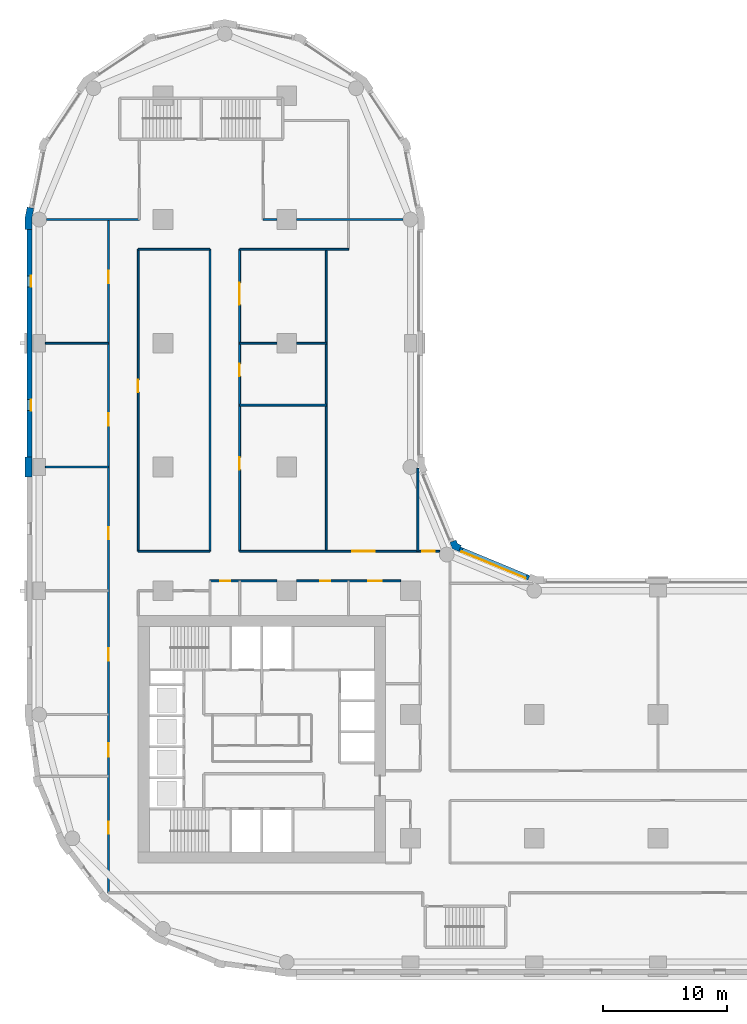
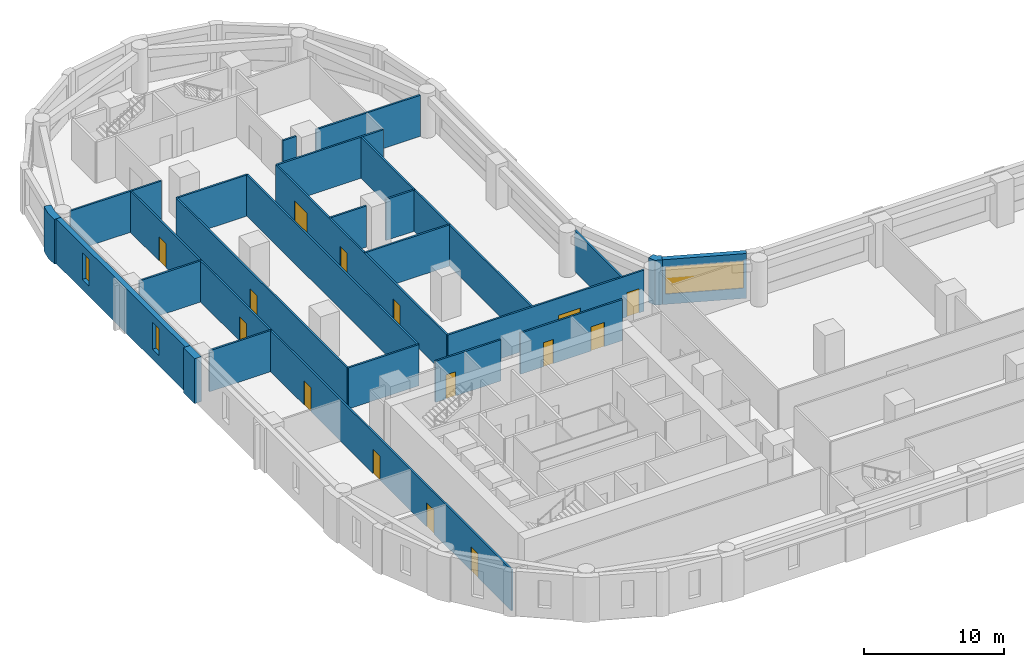
# One storey, part 5 of 10: 25 walls, 15 doors, 3 windows, 18 openings.
"""IFC4 building model written with IfcOpenShell, lengths in metres."""

from ifc_helpers import new_model, si_unit, direction, frame, frame_2d, origin, place, context, subcontext, project, spatial, polyline, rectangle, outline, extrude, material, layer, layer_set, type_object, element, fill, save


model = new_model("IFC4")

# Units and contexts
model_context = context("Model", 3, precision=1e-05, world=origin(), true_north=direction((0.0, 1.0)))
body_context = subcontext(model_context, "Body", "Model", "MODEL_VIEW")
ifc_project = project(units=[si_unit("LENGTHUNIT", "METRE"), si_unit("AREAUNIT", "SQUARE_METRE"), si_unit("VOLUMEUNIT", "CUBIC_METRE"), si_unit("PLANEANGLEUNIT", "RADIAN"), si_unit("MASSUNIT", "GRAM", prefix="KILO")], contexts=[model_context])

# Site, building, storey
site_placement = place(None, origin())
site = spatial("IfcSite", under=ifc_project, at=site_placement, CompositionType="ELEMENT")
building_placement = place(site_placement, origin())
building = spatial("IfcBuilding", under=site, at=building_placement, Name="Qaws Garden Tower", CompositionType="ELEMENT")
storey_placement = place(building_placement, frame((0.0, 0.0, 66.60009765625)))
storey = spatial("IfcBuildingStorey", under=building, at=storey_placement, Name="L16", CompositionType="ELEMENT", Elevation=66.60009765625)

# Wall, opening, window
ifc_material_1 = material(Name="Clay facing brick masonry", Category="masonry")
ifc_layer_1 = layer(ifc_material_1, 0.39990234375)
ifc_layer_set_1 = layer_set([ifc_layer_1], Name="Clay facing brick masonry")
wall_type_1 = type_object("IfcWallType", Name="Brick infill wall 400", PredefinedType="SOLIDWALL", material=ifc_layer_set_1)
wall_1_placement = place(storey_placement, frame((39.56689453125, 31.04541015625, 0.0), z_axis=(0.0, 0.0, 1.0), x_axis=(-0.923891000409, 0.382655745237, 0.0)))
wall_1 = element("IfcWall", 1, at=wall_1_placement, inside=storey, type_object=wall_type_1, Name="E-L16-infill-11", PredefinedType="SOLIDWALL", context=body_context, shape_type="SweptSolid", body=[
    extrude(rectangle(XDim=6.053466796875, YDim=0.39990234375, at=frame_2d((3.02685546875, 0.0))), origin(), (0.0, 0.0, 1.0), 3.89990234375),
])
opening_1_placement = place(wall_1_placement, frame((0.226806640625, 0.0, 0.89990234375)))
opening_1 = element("IfcOpeningElement", 2, at=opening_1_placement, cuts=wall_1, Name="Opening W04", PredefinedType="OPENING", context=body_context, shape_type="SweptSolid", body=[
    extrude(rectangle(XDim=5.60009765625, YDim=2.35009765625, at=frame_2d((2.800048828125, 1.175048828125))), frame((0.0, 0.2099609375, 0.0), z_axis=(0.0, -1.0, 0.0), x_axis=(1.0, 0.0, 0.0)), (0.0, 0.0, 1.0), 0.419921875),
])
ifc_material_2 = material(Name="Aluminium framed window, clear glazing", Category="aluminium")
window_type_1 = type_object("IfcWindowType", Name="Ribbon window 5600 x 2350", PartitioningType="DOUBLE_PANEL_VERTICAL", PredefinedType="WINDOW", material=ifc_material_2)
window_1_placement = place(opening_1_placement, origin())
window_1 = element("IfcWindow", 3, at=window_1_placement, inside=storey, type_object=window_type_1, Name="E-L16-window-11-0", OverallHeight=2.35009765625, OverallWidth=5.60009765625, PartitioningType="SINGLE_PANEL", PredefinedType="WINDOW", context=body_context, shape_type="SweptSolid", body=[
    extrude(rectangle(XDim=5.60009765625, YDim=2.35009765625, at=frame_2d((2.800048828125, 1.175048828125))), frame((0.0, 0.159912109375, 0.0), z_axis=(0.0, -1.0, 0.0), x_axis=(1.0, 0.0, 0.0)), (0.0, 0.0, 1.0), 0.06005859375),
])
fill(opening_1, window_1)

# Wall, openings, windows
wall_2_placement = place(storey_placement, frame((-0.800048828125, 59.199951171875, 0.0), z_axis=(0.0, 0.0, 1.0), x_axis=(0.0, -1.0, 0.0)))
wall_2 = element("IfcWall", 4, at=wall_2_placement, inside=storey, type_object=wall_type_1, Name="E-L16-infill-23", PredefinedType="SOLIDWALL", context=body_context, shape_type="SweptSolid", body=[
    extrude(rectangle(XDim=18.39990234375, YDim=0.39990234375, at=frame_2d((9.199951171875, 0.0))), origin(), (0.0, 0.0, 1.0), 3.89990234375),
])
opening_2_placement = place(wall_2_placement, frame((3.75, 0.0, 0.89990234375)))
opening_2 = element("IfcOpeningElement", 5, at=opening_2_placement, cuts=wall_2, Name="Opening W09", PredefinedType="OPENING", context=body_context, shape_type="SweptSolid", body=[
    extrude(rectangle(XDim=0.89990234375, YDim=2.35009765625, at=frame_2d((0.449951171875, 1.175048828125))), frame((0.0, 0.2099609375, 0.0), z_axis=(0.0, -1.0, 0.0), x_axis=(1.0, 0.0, 0.0)), (0.0, 0.0, 1.0), 0.419921875),
])
opening_3_placement = place(wall_2_placement, frame((13.75, 0.0, 0.89990234375)))
opening_3 = element("IfcOpeningElement", 6, at=opening_3_placement, cuts=wall_2, Name="Opening W09", PredefinedType="OPENING", context=body_context, shape_type="SweptSolid", body=[
    extrude(rectangle(XDim=0.89990234375, YDim=2.35009765625, at=frame_2d((0.449951171875, 1.175048828125))), frame((0.0, 0.2099609375, 0.0), z_axis=(0.0, -1.0, 0.0), x_axis=(1.0, 0.0, 0.0)), (0.0, 0.0, 1.0), 0.419921875),
])
ifc_material_3 = material(Name="Aluminium framed window, clear glazing", Category="aluminium")
window_type_2 = type_object("IfcWindowType", Name="Slit window 900 x 2350", PartitioningType="SINGLE_PANEL", PredefinedType="WINDOW", material=ifc_material_3)
window_2_placement = place(opening_2_placement, origin())
window_2 = element("IfcWindow", 7, at=window_2_placement, inside=storey, type_object=window_type_2, Name="E-L16-window-23-0", OverallHeight=2.35009765625, OverallWidth=0.89990234375, PartitioningType="SINGLE_PANEL", PredefinedType="WINDOW", context=body_context, shape_type="SweptSolid", body=[
    extrude(rectangle(XDim=0.89990234375, YDim=2.35009765625, at=frame_2d((0.449951171875, 1.175048828125))), frame((0.0, 0.159912109375, 0.0), z_axis=(0.0, -1.0, 0.0), x_axis=(1.0, 0.0, 0.0)), (0.0, 0.0, 1.0), 0.06005859375),
])
fill(opening_2, window_2)
window_3_placement = place(opening_3_placement, origin())
window_3 = element("IfcWindow", 8, at=window_3_placement, inside=storey, type_object=window_type_2, Name="E-L16-window-24-0", OverallHeight=2.35009765625, OverallWidth=0.89990234375, PartitioningType="SINGLE_PANEL", PredefinedType="WINDOW", context=body_context, shape_type="SweptSolid", body=[
    extrude(rectangle(XDim=0.89990234375, YDim=2.35009765625, at=frame_2d((0.449951171875, 1.175048828125))), frame((0.0, 0.159912109375, 0.0), z_axis=(0.0, -1.0, 0.0), x_axis=(1.0, 0.0, 0.0)), (0.0, 0.0, 1.0), 0.06005859375),
])
fill(opening_3, window_3)

# Walls
ifc_material_4 = material(Name="Clay facing brick masonry", Category="masonry")
ifc_layer_2 = layer(ifc_material_4, 0.550048828125)
ifc_layer_set_2 = layer_set([ifc_layer_2], Name="Clay facing brick masonry")
wall_type_2 = type_object("IfcWallType", Name="Brick pier 550 x 1600", PredefinedType="SOLIDWALL", material=ifc_layer_set_2)
placement = place(storey_placement, origin())
element("IfcWall", 9, at=placement, inside=storey, type_object=wall_type_2, Name="E-L16-pier-12", PredefinedType="SOLIDWALL", context=body_context, shape_type="SweptSolid", body=[
    extrude(outline(polyline([(34.05078125, 33.546630859375), (34.108154296875, 33.685302734375), (33.80908203125, 33.80908203125), (33.685302734375, 34.108154296875), (33.546630859375, 34.05078125), (33.177001953125, 33.897705078125), (33.38818359375, 33.38818359375), (33.897705078125, 33.177001953125), (34.05078125, 33.546630859375)])), origin(), (0.0, 0.0, 1.0), 3.89990234375),
])
element("IfcWall", 10, at=placement, inside=storey, type_object=wall_type_2, Name="E-L16-pier-23", PredefinedType="SOLIDWALL", context=body_context, shape_type="SweptSolid", body=[
    extrude(outline(polyline([(-0.82470703125, 60.979736328125), (-0.971923828125, 61.009033203125), (-1.14990234375, 60.11328125), (-1.14990234375, 59.199951171875), (-1.0, 59.199951171875), (-0.60009765625, 59.199951171875), (-0.60009765625, 60.05908203125), (-0.432373046875, 60.901611328125), (-0.82470703125, 60.979736328125)])), origin(), (0.0, 0.0, 1.0), 3.89990234375),
])
element("IfcWall", 11, at=placement, inside=storey, type_object=wall_type_2, Name="E-L16-pier-25", PredefinedType="SOLIDWALL", context=body_context, shape_type="SweptSolid", body=[
    extrude(outline(polyline([(-1.0, 40.800048828125), (-1.14990234375, 40.800048828125), (-1.14990234375, 40.0), (-1.14990234375, 39.199951171875), (-1.0, 39.199951171875), (-0.60009765625, 39.199951171875), (-0.60009765625, 40.0), (-0.60009765625, 40.800048828125), (-1.0, 40.800048828125)])), origin(), (0.0, 0.0, 1.0), 3.89990234375),
])

# Wall, openings, doors
ifc_material_5 = material(Name="Gypsum board partition")
ifc_layer_3 = layer(ifc_material_5, 0.14990234375)
ifc_layer_set_3 = layer_set([ifc_layer_3], Name="Gypsum board partition")
wall_type_3 = type_object("IfcWallType", Name="PARTITION 150 EI 60", PredefinedType="PARTITIONING", material=ifc_layer_set_3)
wall_6_placement = place(storey_placement, frame((5.60009765625, 5.60009765625, 0.0), z_axis=(0.0, 0.0, 1.0), x_axis=(0.0, 1.0, 0.0)))
wall_6 = element("IfcWall", 12, at=wall_6_placement, inside=storey, type_object=wall_type_3, Name="O-L16-wall-001", PredefinedType="PARTITIONING", context=body_context, shape_type="SweptSolid", body=[
    extrude(rectangle(XDim=54.39990234375, YDim=0.14990234375, at=frame_2d((27.199951171875, 0.0))), origin(), (0.0, 0.0, 1.0), 3.579833984375),
])
opening_4_placement = place(wall_6_placement, frame((4.75, 0.0, 0.0)))
opening_4 = element("IfcOpeningElement", 13, at=opening_4_placement, cuts=wall_6, Name="Opening A501", PredefinedType="OPENING", context=body_context, shape_type="SweptSolid", body=[
    extrude(rectangle(XDim=1.0, YDim=2.10009765625, at=frame_2d((0.5, 1.050048828125))), frame((0.0, 0.0849609375, 0.0), z_axis=(0.0, -1.0, 0.0), x_axis=(1.0, 0.0, 0.0)), (0.0, 0.0, 1.0), 0.169921875),
])
opening_5_placement = place(wall_6_placement, frame((11.0, 0.0, 0.0)))
opening_5 = element("IfcOpeningElement", 14, at=opening_5_placement, cuts=wall_6, Name="Opening A502", PredefinedType="OPENING", context=body_context, shape_type="SweptSolid", body=[
    extrude(rectangle(XDim=1.10009765625, YDim=2.10009765625, at=frame_2d((0.550048828125, 1.050048828125))), frame((0.0, 0.0849609375, 0.0), z_axis=(0.0, -1.0, 0.0), x_axis=(1.0, 0.0, 0.0)), (0.0, 0.0, 1.0), 0.169921875),
])
opening_6_placement = place(wall_6_placement, frame((18.75, 0.0, 0.0)))
opening_6 = element("IfcOpeningElement", 15, at=opening_6_placement, cuts=wall_6, Name="Opening A513", PredefinedType="OPENING", context=body_context, shape_type="SweptSolid", body=[
    extrude(rectangle(XDim=1.0, YDim=2.10009765625, at=frame_2d((0.5, 1.050048828125))), frame((0.0, 0.0849609375, 0.0), z_axis=(0.0, -1.0, 0.0), x_axis=(1.0, 0.0, 0.0)), (0.0, 0.0, 1.0), 0.169921875),
])
opening_7_placement = place(wall_6_placement, frame((28.550048828125, 0.0, 0.0)))
opening_7 = element("IfcOpeningElement", 16, at=opening_7_placement, cuts=wall_6, Name="Opening A518", PredefinedType="OPENING", context=body_context, shape_type="SweptSolid", body=[
    extrude(rectangle(XDim=1.0, YDim=2.10009765625, at=frame_2d((0.5, 1.050048828125))), frame((0.0, 0.0849609375, 0.0), z_axis=(0.0, -1.0, 0.0), x_axis=(1.0, 0.0, 0.0)), (0.0, 0.0, 1.0), 0.169921875),
])
opening_8_placement = place(wall_6_placement, frame((37.75, 0.0, 0.0)))
opening_8 = element("IfcOpeningElement", 17, at=opening_8_placement, cuts=wall_6, Name="Opening A519", PredefinedType="OPENING", context=body_context, shape_type="SweptSolid", body=[
    extrude(rectangle(XDim=1.0, YDim=2.10009765625, at=frame_2d((0.5, 1.050048828125))), frame((0.0, 0.0849609375, 0.0), z_axis=(0.0, -1.0, 0.0), x_axis=(1.0, 0.0, 0.0)), (0.0, 0.0, 1.0), 0.169921875),
])
opening_9_placement = place(wall_6_placement, frame((49.25, 0.0, 0.0)))
opening_9 = element("IfcOpeningElement", 18, at=opening_9_placement, cuts=wall_6, Name="Opening A520", PredefinedType="OPENING", context=body_context, shape_type="SweptSolid", body=[
    extrude(rectangle(XDim=1.0, YDim=2.10009765625, at=frame_2d((0.5, 1.050048828125))), frame((0.0, 0.0849609375, 0.0), z_axis=(0.0, -1.0, 0.0), x_axis=(1.0, 0.0, 0.0)), (0.0, 0.0, 1.0), 0.169921875),
])
ifc_material_6 = material(Name="Timber door leaf", Category="wood")
door_type_1 = type_object("IfcDoorType", Name="SERVICE ROOM DOOR 1100 X 2100", OperationType="SINGLE_SWING_LEFT", PredefinedType="DOOR", material=ifc_material_6)
door_1_placement = place(opening_5_placement, origin())
door_1 = element("IfcDoor", 19, at=door_1_placement, inside=storey, type_object=door_type_1, Name="O-L16-door-002", OperationType="SINGLE_SWING_RIGHT", OverallHeight=2.10009765625, OverallWidth=1.10009765625, PredefinedType="DOOR", context=body_context, shape_type="SweptSolid", body=[
    extrude(rectangle(XDim=1.10009765625, YDim=2.10009765625, at=frame_2d((0.550048828125, 1.050048828125))), frame((0.0, 0.02490234375, 0.0), z_axis=(0.0, -1.0, 0.0), x_axis=(1.0, 0.0, 0.0)), (0.0, 0.0, 1.0), 0.050048828125),
])
fill(opening_5, door_1)
ifc_material_7 = material(Name="Timber door leaf", Category="wood")
door_type_2 = type_object("IfcDoorType", Name="TENANCY ENTRANCE DOOR 1000 X 2100", OperationType="SINGLE_SWING_LEFT", PredefinedType="DOOR", material=ifc_material_7)
door_2_placement = place(opening_4_placement, origin())
door_2 = element("IfcDoor", 20, at=door_2_placement, inside=storey, type_object=door_type_2, Name="O-L16-door-001", OperationType="SINGLE_SWING_RIGHT", OverallHeight=2.10009765625, OverallWidth=1.0, PredefinedType="DOOR", context=body_context, shape_type="SweptSolid", body=[
    extrude(rectangle(XDim=1.0, YDim=2.10009765625, at=frame_2d((0.5, 1.050048828125))), frame((0.0, 0.02490234375, 0.0), z_axis=(0.0, -1.0, 0.0), x_axis=(1.0, 0.0, 0.0)), (0.0, 0.0, 1.0), 0.050048828125),
])
fill(opening_4, door_2)
door_3_placement = place(opening_6_placement, origin())
door_3 = element("IfcDoor", 21, at=door_3_placement, inside=storey, type_object=door_type_2, Name="O-L16-door-013", OperationType="SINGLE_SWING_RIGHT", OverallHeight=2.10009765625, OverallWidth=1.0, PredefinedType="DOOR", context=body_context, shape_type="SweptSolid", body=[
    extrude(rectangle(XDim=1.0, YDim=2.10009765625, at=frame_2d((0.5, 1.050048828125))), frame((0.0, 0.02490234375, 0.0), z_axis=(0.0, -1.0, 0.0), x_axis=(1.0, 0.0, 0.0)), (0.0, 0.0, 1.0), 0.050048828125),
])
fill(opening_6, door_3)
door_4_placement = place(opening_7_placement, origin())
door_4 = element("IfcDoor", 22, at=door_4_placement, inside=storey, type_object=door_type_2, Name="O-L16-door-018", OperationType="SINGLE_SWING_RIGHT", OverallHeight=2.10009765625, OverallWidth=1.0, PredefinedType="DOOR", context=body_context, shape_type="SweptSolid", body=[
    extrude(rectangle(XDim=1.0, YDim=2.10009765625, at=frame_2d((0.5, 1.050048828125))), frame((0.0, 0.02490234375, 0.0), z_axis=(0.0, -1.0, 0.0), x_axis=(1.0, 0.0, 0.0)), (0.0, 0.0, 1.0), 0.050048828125),
])
fill(opening_7, door_4)
door_5_placement = place(opening_8_placement, origin())
door_5 = element("IfcDoor", 23, at=door_5_placement, inside=storey, type_object=door_type_2, Name="O-L16-door-019", OperationType="SINGLE_SWING_LEFT", OverallHeight=2.10009765625, OverallWidth=1.0, PredefinedType="DOOR", context=body_context, shape_type="SweptSolid", body=[
    extrude(rectangle(XDim=1.0, YDim=2.10009765625, at=frame_2d((0.5, 1.050048828125))), frame((0.0, 0.02490234375, 0.0), z_axis=(0.0, -1.0, 0.0), x_axis=(1.0, 0.0, 0.0)), (0.0, 0.0, 1.0), 0.050048828125),
])
fill(opening_8, door_5)
door_6_placement = place(opening_9_placement, origin())
door_6 = element("IfcDoor", 24, at=door_6_placement, inside=storey, type_object=door_type_2, Name="O-L16-door-020", OperationType="SINGLE_SWING_LEFT", OverallHeight=2.10009765625, OverallWidth=1.0, PredefinedType="DOOR", context=body_context, shape_type="SweptSolid", body=[
    extrude(rectangle(XDim=1.0, YDim=2.10009765625, at=frame_2d((0.5, 1.050048828125))), frame((0.0, 0.02490234375, 0.0), z_axis=(0.0, -1.0, 0.0), x_axis=(1.0, 0.0, 0.0)), (0.0, 0.0, 1.0), 0.050048828125),
])
fill(opening_9, door_6)

# Wall, opening, door
wall_7_placement = place(storey_placement, frame((8.0, 33.199951171875, 0.0), z_axis=(0.0, 0.0, 1.0), x_axis=(0.0, 1.0, 0.0)))
wall_7 = element("IfcWall", 25, at=wall_7_placement, inside=storey, type_object=wall_type_3, Name="O-L16-wall-003", PredefinedType="PARTITIONING", context=body_context, shape_type="SweptSolid", body=[
    extrude(rectangle(XDim=24.400146484375, YDim=0.14990234375, at=frame_2d((12.2001953125, 0.0))), origin(), (0.0, 0.0, 1.0), 3.579833984375),
])
opening_10_placement = place(wall_7_placement, frame((12.85009765625, 0.0, 0.0)))
opening_10 = element("IfcOpeningElement", 26, at=opening_10_placement, cuts=wall_7, Name="Opening A508", PredefinedType="OPENING", context=body_context, shape_type="SweptSolid", body=[
    extrude(rectangle(XDim=1.0, YDim=2.10009765625, at=frame_2d((0.5, 1.050048828125))), frame((0.0, 0.0849609375, 0.0), z_axis=(0.0, -1.0, 0.0), x_axis=(1.0, 0.0, 0.0)), (0.0, 0.0, 1.0), 0.169921875),
])
door_7_placement = place(opening_10_placement, frame((1.0, 0.0, 0.0), z_axis=(0.0, 0.0, 1.0), x_axis=(-1.0, 0.0, 0.0)))
door_7 = element("IfcDoor", 27, at=door_7_placement, inside=storey, type_object=door_type_2, Name="O-L16-door-008", OperationType="SINGLE_SWING_RIGHT", OverallHeight=2.10009765625, OverallWidth=1.0, PredefinedType="DOOR", context=body_context, shape_type="SweptSolid", body=[
    extrude(rectangle(XDim=1.0, YDim=2.10009765625, at=frame_2d((0.5, 1.050048828125))), frame((0.0, 0.02490234375, 0.0), z_axis=(0.0, -1.0, 0.0), x_axis=(1.0, 0.0, 0.0)), (0.0, 0.0, 1.0), 0.050048828125),
])
fill(opening_10, door_7)

# Wall
wall_8_placement = place(storey_placement, frame((13.800048828125, 33.199951171875, 0.0), z_axis=(0.0, 0.0, 1.0), x_axis=(0.0, 1.0, 0.0)))
element("IfcWall", 28, at=wall_8_placement, inside=storey, type_object=wall_type_3, Name="O-L16-wall-006", PredefinedType="PARTITIONING", context=body_context, shape_type="SweptSolid", body=[
    extrude(rectangle(XDim=24.400146484375, YDim=0.14990234375, at=frame_2d((12.2001953125, 0.0))), origin(), (0.0, 0.0, 1.0), 3.579833984375),
])

# Wall, openings, doors
wall_9_placement = place(storey_placement, frame((16.199951171875, 33.199951171875, 0.0), z_axis=(0.0, 0.0, 1.0), x_axis=(0.0, 1.0, 0.0)))
wall_9 = element("IfcWall", 29, at=wall_9_placement, inside=storey, type_object=wall_type_3, Name="O-L16-wall-008", PredefinedType="PARTITIONING", context=body_context, shape_type="SweptSolid", body=[
    extrude(rectangle(XDim=24.400146484375, YDim=0.14990234375, at=frame_2d((12.2001953125, 0.0))), origin(), (0.0, 0.0, 1.0), 3.579833984375),
])
opening_11_placement = place(wall_9_placement, frame((6.60009765625, 0.0, 0.0)))
opening_11 = element("IfcOpeningElement", 30, at=opening_11_placement, cuts=wall_9, Name="Opening A509", PredefinedType="OPENING", context=body_context, shape_type="SweptSolid", body=[
    extrude(rectangle(XDim=1.0, YDim=2.10009765625, at=frame_2d((0.5, 1.050048828125))), frame((0.0, 0.0849609375, 0.0), z_axis=(0.0, -1.0, 0.0), x_axis=(1.0, 0.0, 0.0)), (0.0, 0.0, 1.0), 0.169921875),
])
opening_12_placement = place(wall_9_placement, frame((14.14990234375, 0.0, 0.0)))
opening_12 = element("IfcOpeningElement", 31, at=opening_12_placement, cuts=wall_9, Name="Opening A510", PredefinedType="OPENING", context=body_context, shape_type="SweptSolid", body=[
    extrude(rectangle(XDim=1.0, YDim=2.10009765625, at=frame_2d((0.5, 1.050048828125))), frame((0.0, 0.0849609375, 0.0), z_axis=(0.0, -1.0, 0.0), x_axis=(1.0, 0.0, 0.0)), (0.0, 0.0, 1.0), 0.169921875),
])
opening_13_placement = place(wall_9_placement, frame((19.89990234375, 0.0, 0.0)))
opening_13 = element("IfcOpeningElement", 32, at=opening_13_placement, cuts=wall_9, Name="Opening A511", PredefinedType="OPENING", context=body_context, shape_type="SweptSolid", body=[
    extrude(rectangle(XDim=1.800048828125, YDim=2.10009765625, at=frame_2d((0.89990234375, 1.050048828125))), frame((0.0, 0.0849609375, 0.0), z_axis=(0.0, -1.0, 0.0), x_axis=(1.0, 0.0, 0.0)), (0.0, 0.0, 1.0), 0.169921875),
])
ifc_material_8 = material(Name="Timber door leaf", Category="wood")
door_type_3 = type_object("IfcDoorType", Name="DOUBLE DOOR 1800 X 2100", OperationType="DOUBLE_DOOR_SINGLE_SWING", PredefinedType="DOOR", material=ifc_material_8)
door_8_placement = place(opening_13_placement, frame((1.800048828125, 0.0, 0.0), z_axis=(0.0, 0.0, 1.0), x_axis=(-1.0, 0.0, 0.0)))
door_8 = element("IfcDoor", 33, at=door_8_placement, inside=storey, type_object=door_type_3, Name="O-L16-door-011", OperationType="DOUBLE_DOOR_SINGLE_SWING", OverallHeight=2.10009765625, OverallWidth=1.800048828125, PredefinedType="DOOR", context=body_context, shape_type="SweptSolid", body=[
    extrude(rectangle(XDim=1.800048828125, YDim=2.10009765625, at=frame_2d((0.89990234375, 1.050048828125))), frame((0.0, 0.02490234375, 0.0), z_axis=(0.0, -1.0, 0.0), x_axis=(1.0, 0.0, 0.0)), (0.0, 0.0, 1.0), 0.050048828125),
])
fill(opening_13, door_8)
door_9_placement = place(opening_11_placement, frame((1.0, 0.0, 0.0), z_axis=(0.0, 0.0, 1.0), x_axis=(-1.0, 0.0, 0.0)))
door_9 = element("IfcDoor", 34, at=door_9_placement, inside=storey, type_object=door_type_2, Name="O-L16-door-009", OperationType="SINGLE_SWING_RIGHT", OverallHeight=2.10009765625, OverallWidth=1.0, PredefinedType="DOOR", context=body_context, shape_type="SweptSolid", body=[
    extrude(rectangle(XDim=1.0, YDim=2.10009765625, at=frame_2d((0.5, 1.050048828125))), frame((0.0, 0.02490234375, 0.0), z_axis=(0.0, -1.0, 0.0), x_axis=(1.0, 0.0, 0.0)), (0.0, 0.0, 1.0), 0.050048828125),
])
fill(opening_11, door_9)
door_10_placement = place(opening_12_placement, frame((1.0, 0.0, 0.0), z_axis=(0.0, 0.0, 1.0), x_axis=(-1.0, 0.0, 0.0)))
door_10 = element("IfcDoor", 35, at=door_10_placement, inside=storey, type_object=door_type_2, Name="O-L16-door-010", OperationType="SINGLE_SWING_RIGHT", OverallHeight=2.10009765625, OverallWidth=1.0, PredefinedType="DOOR", context=body_context, shape_type="SweptSolid", body=[
    extrude(rectangle(XDim=1.0, YDim=2.10009765625, at=frame_2d((0.5, 1.050048828125))), frame((0.0, 0.02490234375, 0.0), z_axis=(0.0, -1.0, 0.0), x_axis=(1.0, 0.0, 0.0)), (0.0, 0.0, 1.0), 0.050048828125),
])
fill(opening_12, door_10)

# Walls
wall_10_placement = place(storey_placement, frame((23.199951171875, 33.199951171875, 0.0), z_axis=(0.0, 0.0, 1.0), x_axis=(0.0, 1.0, 0.0)))
element("IfcWall", 36, at=wall_10_placement, inside=storey, type_object=wall_type_3, Name="O-L16-wall-010", PredefinedType="PARTITIONING", context=body_context, shape_type="SweptSolid", body=[
    extrude(rectangle(XDim=24.400146484375, YDim=0.14990234375, at=frame_2d((12.2001953125, 0.0))), origin(), (0.0, 0.0, 1.0), 3.579833984375),
])
wall_11_placement = place(storey_placement, frame((30.60009765625, 33.199951171875, 0.0), z_axis=(0.0, 0.0, 1.0), x_axis=(0.0, 1.0, 0.0)))
element("IfcWall", 37, at=wall_11_placement, inside=storey, type_object=wall_type_3, Name="O-L16-wall-015", PredefinedType="PARTITIONING", context=body_context, shape_type="SweptSolid", body=[
    extrude(rectangle(XDim=6.698974609375, YDim=0.14990234375, at=frame_2d((3.349609375, 0.0))), origin(), (0.0, 0.0, 1.0), 3.579833984375),
])

# Wall, opening, door
wall_12_placement = place(storey_placement, frame((13.800048828125, 30.800048828125, 0.0), z_axis=(0.0, 0.0, 1.0), x_axis=(1.0, 0.0, 0.0)))
wall_12 = element("IfcWall", 38, at=wall_12_placement, inside=storey, type_object=wall_type_3, Name="O-L16-wall-042", PredefinedType="PARTITIONING", context=body_context, shape_type="SweptSolid", body=[
    extrude(rectangle(XDim=5.39990234375, YDim=0.14990234375, at=frame_2d((2.699951171875, 0.0))), origin(), (0.0, 0.0, 1.0), 3.579833984375),
])
opening_14_placement = place(wall_12_placement, frame((0.85009765625, 0.0, 0.0)))
opening_14 = element("IfcOpeningElement", 39, at=opening_14_placement, cuts=wall_12, Name="Opening A517", PredefinedType="OPENING", context=body_context, shape_type="SweptSolid", body=[
    extrude(rectangle(XDim=0.800048828125, YDim=2.10009765625, at=frame_2d((0.39990234375, 1.050048828125))), frame((0.0, 0.0849609375, 0.0), z_axis=(0.0, -1.0, 0.0), x_axis=(1.0, 0.0, 0.0)), (0.0, 0.0, 1.0), 0.169921875),
])
ifc_material_9 = material(Name="Timber door leaf", Category="wood")
door_type_4 = type_object("IfcDoorType", Name="STORE DOOR 800 X 2100", OperationType="SINGLE_SWING_LEFT", PredefinedType="DOOR", material=ifc_material_9)
door_11_placement = place(opening_14_placement, frame((0.800048828125, 0.0, 0.0), z_axis=(0.0, 0.0, 1.0), x_axis=(-1.0, 0.0, 0.0)))
door_11 = element("IfcDoor", 40, at=door_11_placement, inside=storey, type_object=door_type_4, Name="O-L16-door-017", OperationType="SINGLE_SWING_LEFT", OverallHeight=2.10009765625, OverallWidth=0.800048828125, PredefinedType="DOOR", context=body_context, shape_type="SweptSolid", body=[
    extrude(rectangle(XDim=0.800048828125, YDim=2.10009765625, at=frame_2d((0.39990234375, 1.050048828125))), frame((0.0, 0.02490234375, 0.0), z_axis=(0.0, -1.0, 0.0), x_axis=(1.0, 0.0, 0.0)), (0.0, 0.0, 1.0), 0.050048828125),
])
fill(opening_14, door_11)

# Wall, openings, doors
wall_13_placement = place(storey_placement, frame((20.800048828125, 30.800048828125, 0.0), z_axis=(0.0, 0.0, 1.0), x_axis=(1.0, 0.0, 0.0)))
wall_13 = element("IfcWall", 41, at=wall_13_placement, inside=storey, type_object=wall_type_3, Name="O-L16-wall-043", PredefinedType="PARTITIONING", context=body_context, shape_type="SweptSolid", body=[
    extrude(rectangle(XDim=8.39990234375, YDim=0.14990234375, at=frame_2d((4.199951171875, 0.0))), origin(), (0.0, 0.0, 1.0), 3.579833984375),
])
opening_15_placement = place(wall_13_placement, frame((1.89990234375, 0.0, 0.0)))
opening_15 = element("IfcOpeningElement", 42, at=opening_15_placement, cuts=wall_13, Name="Opening A506", PredefinedType="OPENING", context=body_context, shape_type="SweptSolid", body=[
    extrude(rectangle(XDim=0.800048828125, YDim=2.10009765625, at=frame_2d((0.39990234375, 1.050048828125))), frame((0.0, 0.0849609375, 0.0), z_axis=(0.0, -1.0, 0.0), x_axis=(1.0, 0.0, 0.0)), (0.0, 0.0, 1.0), 0.169921875),
])
opening_16_placement = place(wall_13_placement, frame((5.800048828125, 0.0, 0.0)))
opening_16 = element("IfcOpeningElement", 43, at=opening_16_placement, cuts=wall_13, Name="Opening A507", PredefinedType="OPENING", context=body_context, shape_type="SweptSolid", body=[
    extrude(rectangle(XDim=1.10009765625, YDim=2.10009765625, at=frame_2d((0.550048828125, 1.050048828125))), frame((0.0, 0.0849609375, 0.0), z_axis=(0.0, -1.0, 0.0), x_axis=(1.0, 0.0, 0.0)), (0.0, 0.0, 1.0), 0.169921875),
])
door_12_placement = place(opening_16_placement, frame((1.10009765625, 0.0, 0.0), z_axis=(0.0, 0.0, 1.0), x_axis=(-1.0, 0.0, 0.0)))
door_12 = element("IfcDoor", 44, at=door_12_placement, inside=storey, type_object=door_type_1, Name="O-L16-door-007", OperationType="SINGLE_SWING_LEFT", OverallHeight=2.10009765625, OverallWidth=1.10009765625, PredefinedType="DOOR", context=body_context, shape_type="SweptSolid", body=[
    extrude(rectangle(XDim=1.10009765625, YDim=2.10009765625, at=frame_2d((0.550048828125, 1.050048828125))), frame((0.0, 0.02490234375, 0.0), z_axis=(0.0, -1.0, 0.0), x_axis=(1.0, 0.0, 0.0)), (0.0, 0.0, 1.0), 0.050048828125),
])
fill(opening_16, door_12)
door_13_placement = place(opening_15_placement, frame((0.800048828125, 0.0, 0.0), z_axis=(0.0, 0.0, 1.0), x_axis=(-1.0, 0.0, 0.0)))
door_13 = element("IfcDoor", 45, at=door_13_placement, inside=storey, type_object=door_type_4, Name="O-L16-door-006", OperationType="SINGLE_SWING_LEFT", OverallHeight=2.10009765625, OverallWidth=0.800048828125, PredefinedType="DOOR", context=body_context, shape_type="SweptSolid", body=[
    extrude(rectangle(XDim=0.800048828125, YDim=2.10009765625, at=frame_2d((0.39990234375, 1.050048828125))), frame((0.0, 0.02490234375, 0.0), z_axis=(0.0, -1.0, 0.0), x_axis=(1.0, 0.0, 0.0)), (0.0, 0.0, 1.0), 0.050048828125),
])
fill(opening_15, door_13)

# Wall
wall_14_placement = place(storey_placement, frame((8.0, 33.199951171875, 0.0), z_axis=(0.0, 0.0, 1.0), x_axis=(1.0, 0.0, 0.0)))
element("IfcWall", 46, at=wall_14_placement, inside=storey, type_object=wall_type_3, Name="O-L16-wall-044", PredefinedType="PARTITIONING", context=body_context, shape_type="SweptSolid", body=[
    extrude(rectangle(XDim=5.800048828125, YDim=0.14990234375, at=frame_2d((2.89990234375, 0.0))), origin(), (0.0, 0.0, 1.0), 3.579833984375),
])

# Wall, openings, doors
wall_15_placement = place(storey_placement, frame((16.199951171875, 33.199951171875, 0.0), z_axis=(0.0, 0.0, 1.0), x_axis=(1.0, 0.0, 0.0)))
wall_15 = element("IfcWall", 47, at=wall_15_placement, inside=storey, type_object=wall_type_3, Name="O-L16-wall-045", PredefinedType="PARTITIONING", context=body_context, shape_type="SweptSolid", body=[
    extrude(rectangle(XDim=16.162109375, YDim=0.14990234375, at=frame_2d((8.0810546875, 0.0))), origin(), (0.0, 0.0, 1.0), 3.579833984375),
])
opening_17_placement = place(wall_15_placement, frame((9.10009765625, 0.0, 0.0)))
opening_17 = element("IfcOpeningElement", 48, at=opening_17_placement, cuts=wall_15, Name="Opening A512", PredefinedType="OPENING", context=body_context, shape_type="SweptSolid", body=[
    extrude(rectangle(XDim=1.800048828125, YDim=2.10009765625, at=frame_2d((0.89990234375, 1.050048828125))), frame((0.0, 0.0849609375, 0.0), z_axis=(0.0, -1.0, 0.0), x_axis=(1.0, 0.0, 0.0)), (0.0, 0.0, 1.0), 0.169921875),
])
opening_18_placement = place(wall_15_placement, frame((14.75, 0.0, 0.0)))
opening_18 = element("IfcOpeningElement", 49, at=opening_18_placement, cuts=wall_15, Name="Opening A516", PredefinedType="OPENING", context=body_context, shape_type="SweptSolid", body=[
    extrude(rectangle(XDim=1.0, YDim=2.10009765625, at=frame_2d((0.5, 1.050048828125))), frame((0.0, 0.0849609375, 0.0), z_axis=(0.0, -1.0, 0.0), x_axis=(1.0, 0.0, 0.0)), (0.0, 0.0, 1.0), 0.169921875),
])
door_14_placement = place(opening_17_placement, origin())
door_14 = element("IfcDoor", 50, at=door_14_placement, inside=storey, type_object=door_type_3, Name="O-L16-door-012", OperationType="DOUBLE_DOOR_SINGLE_SWING", OverallHeight=2.10009765625, OverallWidth=1.800048828125, PredefinedType="DOOR", context=body_context, shape_type="SweptSolid", body=[
    extrude(rectangle(XDim=1.800048828125, YDim=2.10009765625, at=frame_2d((0.89990234375, 1.050048828125))), frame((0.0, 0.02490234375, 0.0), z_axis=(0.0, -1.0, 0.0), x_axis=(1.0, 0.0, 0.0)), (0.0, 0.0, 1.0), 0.050048828125),
])
fill(opening_17, door_14)
door_15_placement = place(opening_18_placement, origin())
door_15 = element("IfcDoor", 51, at=door_15_placement, inside=storey, type_object=door_type_2, Name="O-L16-door-016", OperationType="SINGLE_SWING_LEFT", OverallHeight=2.10009765625, OverallWidth=1.0, PredefinedType="DOOR", context=body_context, shape_type="SweptSolid", body=[
    extrude(rectangle(XDim=1.0, YDim=2.10009765625, at=frame_2d((0.5, 1.050048828125))), frame((0.0, 0.02490234375, 0.0), z_axis=(0.0, -1.0, 0.0), x_axis=(1.0, 0.0, 0.0)), (0.0, 0.0, 1.0), 0.050048828125),
])
fill(opening_18, door_15)

# Walls
wall_16_placement = place(storey_placement, frame((0.5, 40.0, 0.0), z_axis=(0.0, 0.0, 1.0), x_axis=(1.0, 0.0, 0.0)))
element("IfcWall", 52, at=wall_16_placement, inside=storey, type_object=wall_type_3, Name="O-L16-wall-046", PredefinedType="PARTITIONING", context=body_context, shape_type="SweptSolid", body=[
    extrude(rectangle(XDim=5.10009765625, YDim=0.14990234375, at=frame_2d((2.550048828125, 0.0))), origin(), (0.0, 0.0, 1.0), 3.579833984375),
])
wall_17_placement = place(storey_placement, frame((16.199951171875, 45.0, 0.0), z_axis=(0.0, 0.0, 1.0), x_axis=(1.0, 0.0, 0.0)))
element("IfcWall", 53, at=wall_17_placement, inside=storey, type_object=wall_type_3, Name="O-L16-wall-047", PredefinedType="PARTITIONING", context=body_context, shape_type="SweptSolid", body=[
    extrude(rectangle(XDim=7.0, YDim=0.14990234375, at=frame_2d((3.5, 0.0))), origin(), (0.0, 0.0, 1.0), 3.579833984375),
])
wall_18_placement = place(storey_placement, frame((0.5, 50.0, 0.0), z_axis=(0.0, 0.0, 1.0), x_axis=(1.0, 0.0, 0.0)))
element("IfcWall", 54, at=wall_18_placement, inside=storey, type_object=wall_type_3, Name="O-L16-wall-048", PredefinedType="PARTITIONING", context=body_context, shape_type="SweptSolid", body=[
    extrude(rectangle(XDim=5.10009765625, YDim=0.14990234375, at=frame_2d((2.550048828125, 0.0))), origin(), (0.0, 0.0, 1.0), 3.579833984375),
])
wall_19_placement = place(storey_placement, frame((16.199951171875, 50.0, 0.0), z_axis=(0.0, 0.0, 1.0), x_axis=(1.0, 0.0, 0.0)))
element("IfcWall", 55, at=wall_19_placement, inside=storey, type_object=wall_type_3, Name="O-L16-wall-049", PredefinedType="PARTITIONING", context=body_context, shape_type="SweptSolid", body=[
    extrude(rectangle(XDim=3.0, YDim=0.14990234375, at=frame_2d((1.5, 0.0))), origin(), (0.0, 0.0, 1.0), 3.579833984375),
])
wall_20_placement = place(storey_placement, frame((20.800048828125, 50.0, 0.0), z_axis=(0.0, 0.0, 1.0), x_axis=(1.0, 0.0, 0.0)))
element("IfcWall", 56, at=wall_20_placement, inside=storey, type_object=wall_type_3, Name="O-L16-wall-050", PredefinedType="PARTITIONING", context=body_context, shape_type="SweptSolid", body=[
    extrude(rectangle(XDim=2.39990234375, YDim=0.14990234375, at=frame_2d((1.199951171875, 0.0))), origin(), (0.0, 0.0, 1.0), 3.579833984375),
])
wall_21_placement = place(storey_placement, frame((8.0, 57.60009765625, 0.0), z_axis=(0.0, 0.0, 1.0), x_axis=(1.0, 0.0, 0.0)))
element("IfcWall", 57, at=wall_21_placement, inside=storey, type_object=wall_type_3, Name="O-L16-wall-051", PredefinedType="PARTITIONING", context=body_context, shape_type="SweptSolid", body=[
    extrude(rectangle(XDim=5.800048828125, YDim=0.14990234375, at=frame_2d((2.89990234375, 0.0))), origin(), (0.0, 0.0, 1.0), 3.579833984375),
])
wall_22_placement = place(storey_placement, frame((16.199951171875, 57.60009765625, 0.0), z_axis=(0.0, 0.0, 1.0), x_axis=(1.0, 0.0, 0.0)))
element("IfcWall", 58, at=wall_22_placement, inside=storey, type_object=wall_type_3, Name="O-L16-wall-052", PredefinedType="PARTITIONING", context=body_context, shape_type="SweptSolid", body=[
    extrude(rectangle(XDim=8.800048828125, YDim=0.14990234375, at=frame_2d((4.39990234375, 0.0))), origin(), (0.0, 0.0, 1.0), 3.579833984375),
])
wall_23_placement = place(storey_placement, frame((0.60009765625, 60.0, 0.0), z_axis=(0.0, 0.0, 1.0), x_axis=(1.0, 0.0, 0.0)))
element("IfcWall", 59, at=wall_23_placement, inside=storey, type_object=wall_type_3, Name="O-L16-wall-053", PredefinedType="PARTITIONING", context=body_context, shape_type="SweptSolid", body=[
    extrude(rectangle(XDim=7.5, YDim=0.14990234375, at=frame_2d((3.75, 0.0))), origin(), (0.0, 0.0, 1.0), 3.579833984375),
])
wall_24_placement = place(storey_placement, frame((18.10009765625, 60.0, 0.0), z_axis=(0.0, 0.0, 1.0), x_axis=(1.0, 0.0, 0.0)))
element("IfcWall", 60, at=wall_24_placement, inside=storey, type_object=wall_type_3, Name="O-L16-wall-054", PredefinedType="PARTITIONING", context=body_context, shape_type="SweptSolid", body=[
    extrude(rectangle(XDim=1.099853515625, YDim=0.14990234375, at=frame_2d((0.5498046875, 0.0))), origin(), (0.0, 0.0, 1.0), 3.579833984375),
])
wall_25_placement = place(storey_placement, frame((20.800048828125, 60.0, 0.0), z_axis=(0.0, 0.0, 1.0), x_axis=(1.0, 0.0, 0.0)))
element("IfcWall", 61, at=wall_25_placement, inside=storey, type_object=wall_type_3, Name="O-L16-wall-055", PredefinedType="PARTITIONING", context=body_context, shape_type="SweptSolid", body=[
    extrude(rectangle(XDim=8.599853515625, YDim=0.14990234375, at=frame_2d((4.2998046875, 0.0))), origin(), (0.0, 0.0, 1.0), 3.579833984375),
])

save(model, "model.ifc")
